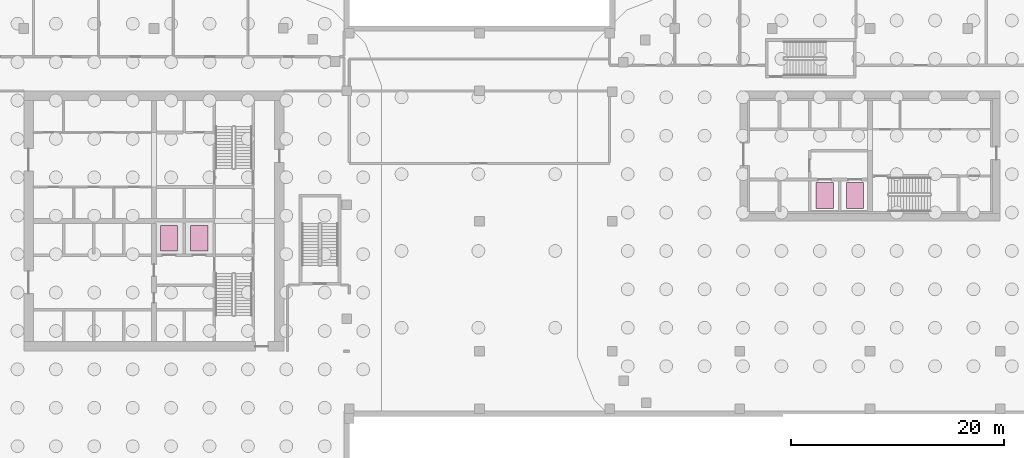
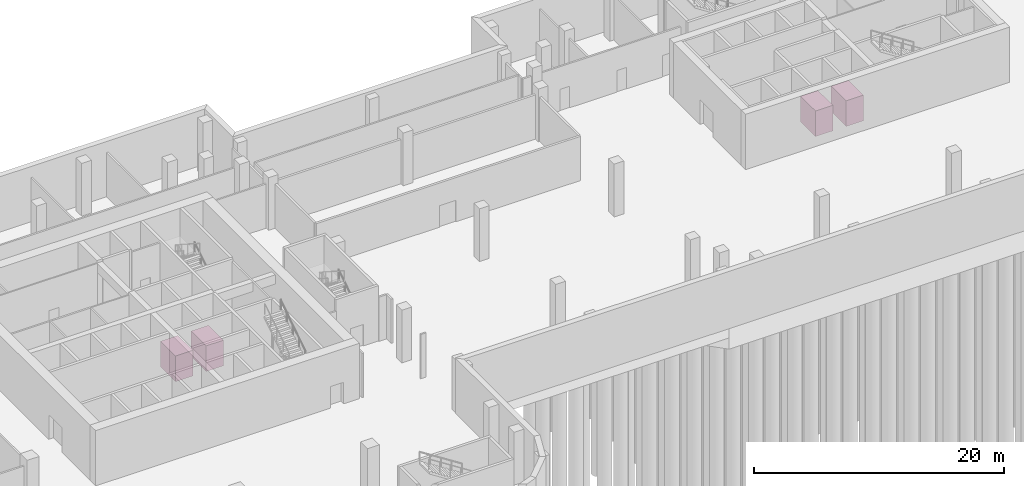
# One storey, part 13 of 13: 4 transport elements.
"""IFC4 building model written with IfcOpenShell, lengths in metres."""

from ifc_helpers import new_model, si_unit, direction, frame, origin, origin_2d, place, context, subcontext, project, spatial, rectangle, extrude, material, type_object, element, save


model = new_model("IFC4")

# Units and contexts
model_context = context("Model", 3, precision=1e-05, world=origin(), true_north=direction((0.0, 1.0)))
body_context = subcontext(model_context, "Body", "Model", "MODEL_VIEW")
ifc_project = project(units=[si_unit("LENGTHUNIT", "METRE"), si_unit("AREAUNIT", "SQUARE_METRE"), si_unit("VOLUMEUNIT", "CUBIC_METRE"), si_unit("PLANEANGLEUNIT", "RADIAN"), si_unit("MASSUNIT", "GRAM", prefix="KILO")], contexts=[model_context])

# Site, building, storey
site_placement = place(None, origin())
site = spatial("IfcSite", under=ifc_project, at=site_placement, CompositionType="ELEMENT")
building_placement = place(site_placement, origin())
building = spatial("IfcBuilding", under=site, at=building_placement, Name="Tessera Gate Towers", CompositionType="ELEMENT")
storey_placement = place(building_placement, frame((0.0, 0.0, -5.39990234375)))
storey = spatial("IfcBuildingStorey", under=building, at=storey_placement, Name="B1", CompositionType="ELEMENT", Elevation=-5.39990234375)

# Transport elements
ifc_material = material(Name="Stainless steel", Category="steel")
transport_element_type = type_object("IfcTransportElementType", Name="LIFT CAR 1600x2400 FF", PredefinedType="ELEVATOR", material=ifc_material)
for number, where, z_axis, x_axis, name in (
    (1, (44.112548828125, 35.0, 0.0), (0.0, 0.0, 1.0), (1.0, 0.0, 0.0), "Fire-fighting and Service Lift FF1"),
    (2, (46.9375, 35.0, 0.0), (0.0, 0.0, 1.0), (1.0, 0.0, 0.0), "Fire-fighting and Service Lift FF2"),
    (3, (105.5625, 39.0, 0.0), (0.0, 0.0, 1.0), (1.0, 0.0, 0.0), "Fire-fighting and Service Lift FF3"),
    (4, (108.387451171875, 39.0, 0.0), (0.0, 0.0, 1.0), (1.0, 0.0, 0.0), "Fire-fighting and Service Lift FF4"),
):
    element("IfcTransportElement", number, at=place(storey_placement, frame(where, z_axis=z_axis, x_axis=x_axis)), inside=storey, type_object=transport_element_type, Name=name, PredefinedType="ELEVATOR", context=body_context, shape_type="SweptSolid", body=[
        extrude(rectangle(XDim=1.60009765625, YDim=2.39990234375, at=origin_2d()), origin(), (0.0, 0.0, 1.0), 2.5),
    ])

save(model, "model.ifc")
